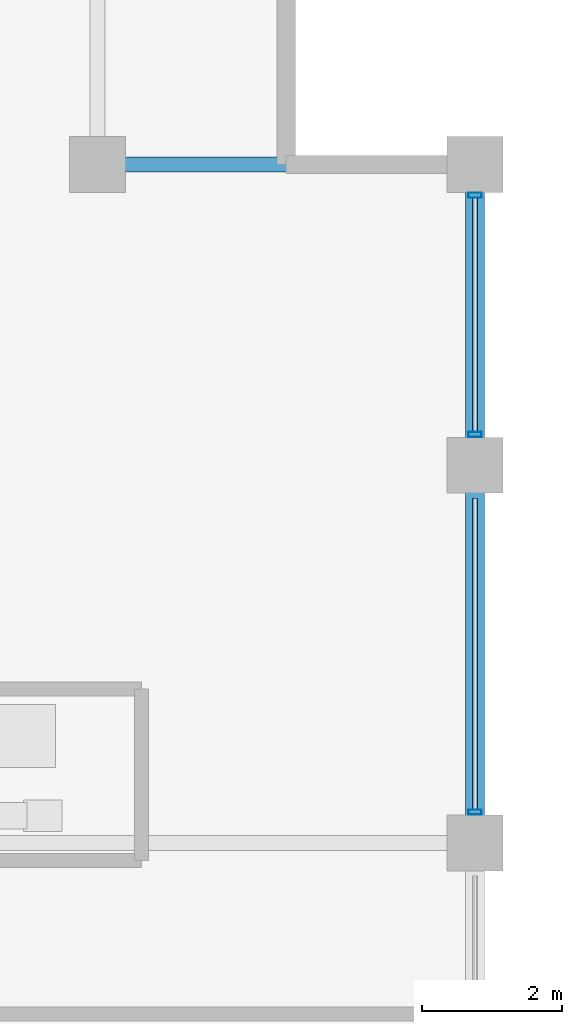
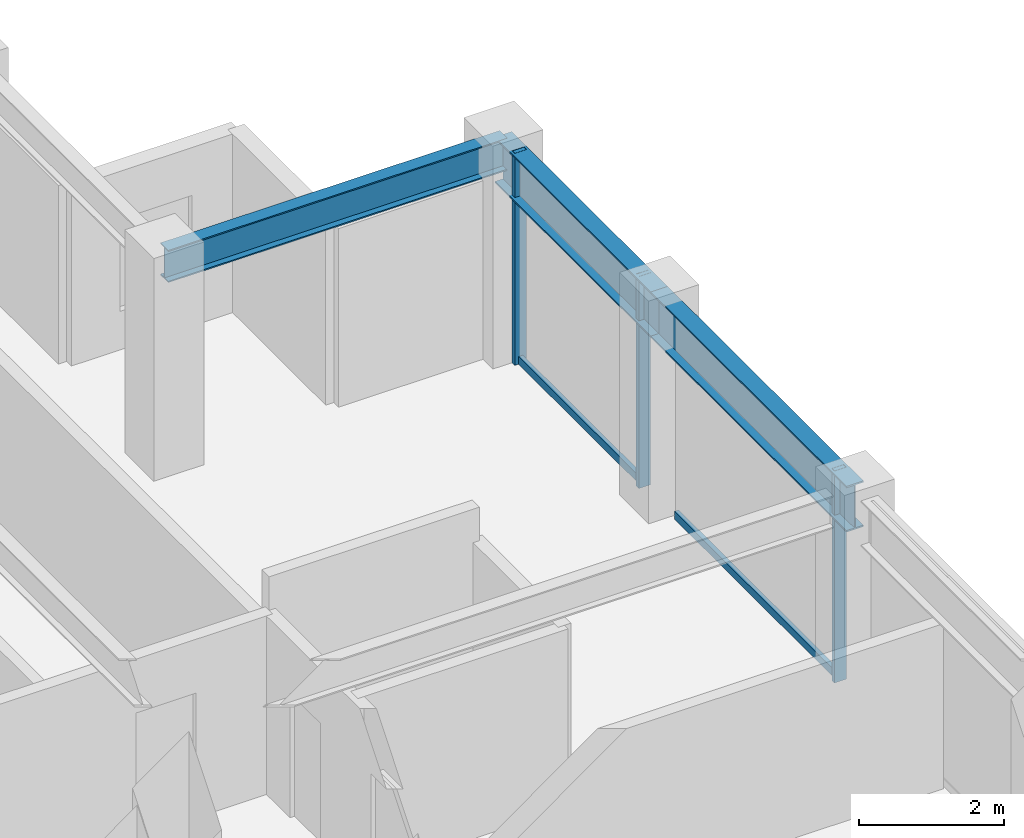
# One storey, part 20 of 28: 5 members, 3 beams, 1 element without a shape of its own.
"""IFC4 building model written with IfcOpenShell, lengths in metres."""

import ifcopenshell
import ifcopenshell.guid

model = None  # the IFC model being written
_history = None  # IfcOwnerHistory: only IFC2X3 demands one
_inside = {}  # id of a spatial element -> (the spatial element, [elements in it])
_under = {}  # id of a project, library or spatial element -> (it, [spatial elements below it])
_declared = {}  # id of a project -> (the project, [libraries it declares])
_typed = {}  # id of a type object -> (the type object, [elements of that type])
_made_of = {}  # id of a material, layer set ... -> (it, [elements and type objects made of it])


def new_model(schema):
    """Start an empty IFC model of exactly this schema.

    Asked for "IFC4X3", IfcOpenShell would pick the latest addendum, in which some entities
    have other attributes; the version numbers below select the first issue.
    IFC2X3 requires an IfcOwnerHistory on every rooted entity: one is made here for all.
    """
    global model, _history
    if schema == "IFC4X3":
        model = ifcopenshell.file(schema_version=(4, 3, 0, 0))
    else:
        model = ifcopenshell.file(schema=schema)
    _inside.clear()
    _under.clear()
    _declared.clear()
    _typed.clear()
    _made_of.clear()
    _history = None
    if model.schema == "IFC2X3":
        org = make("IfcOrganization", Name="unknown")
        user = make(
            "IfcPersonAndOrganization",
            ThePerson=make("IfcPerson", FamilyName="unknown"),
            TheOrganization=org,
        )
        app = make(
            "IfcApplication",
            ApplicationDeveloper=org,
            Version="unknown",
            ApplicationFullName="unknown",
            ApplicationIdentifier="unknown",
        )
        _history = make(
            "IfcOwnerHistory",
            OwningUser=user,
            OwningApplication=app,
            ChangeAction="ADDED",
            CreationDate=0,
        )
    return model


def make(cls, **values):
    """One entity of the class cls with the attributes given. An attribute that is None is left unset."""
    return model.create_entity(
        cls, **{name: value for name, value in values.items() if value is not None}
    )


def rooted(cls, **values):
    """An entity with a GlobalId (a new one), such as an element, a storey or a relation."""
    return make(cls, GlobalId=ifcopenshell.guid.new(), OwnerHistory=_history, **values)


def si_unit(unit_type, name, prefix=None):
    """IfcSIUnit, for example si_unit("LENGTHUNIT", "METRE", prefix="MILLI")."""
    return make("IfcSIUnit", UnitType=unit_type, Prefix=prefix, Name=name)


def assignment(units):
    """IfcUnitAssignment: the units of a project."""
    return None if units is None else make("IfcUnitAssignment", Units=units)


def point(xyz):
    """IfcCartesianPoint."""
    return None if xyz is None else make("IfcCartesianPoint", Coordinates=xyz)


def direction(xyz):
    """IfcDirection."""
    return None if xyz is None else make("IfcDirection", DirectionRatios=xyz)


def frame(location, z_axis=None, x_axis=None):
    """IfcAxis2Placement3D, a coordinate frame: its origin and axes. An axis left out is left unset."""
    return make(
        "IfcAxis2Placement3D",
        Location=point(location),
        Axis=direction(z_axis),
        RefDirection=direction(x_axis),
    )


def frame_2d(location, x_axis=None):
    """IfcAxis2Placement2D, a coordinate frame in the plane: its origin and x axis."""
    return make(
        "IfcAxis2Placement2D", Location=point(location), RefDirection=direction(x_axis)
    )


def origin():
    """The frame at (0, 0, 0) with its axes left unset."""
    return frame((0.0, 0.0, 0.0))


def origin_2d():
    """The frame at (0, 0) in the plane with its x axis left unset."""
    return frame_2d((0.0, 0.0))


def place(relative_to, where):
    """IfcLocalPlacement: puts the frame where relative to a parent placement (None: the world)."""
    return make(
        "IfcLocalPlacement", PlacementRelTo=relative_to, RelativePlacement=where
    )


def context(
    kind, dimensions, precision=None, world=None, true_north=None, identifier=None
):
    """IfcGeometricRepresentationContext, for example the 3D "Model" context."""
    return make(
        "IfcGeometricRepresentationContext",
        ContextIdentifier=identifier,
        ContextType=kind,
        CoordinateSpaceDimension=dimensions,
        Precision=precision,
        WorldCoordinateSystem=world,
        TrueNorth=true_north,
    )


def subcontext(parent, identifier, kind, view, scale=None):
    """IfcGeometricRepresentationSubContext, for example "Body" below "Model"."""
    return make(
        "IfcGeometricRepresentationSubContext",
        ContextIdentifier=identifier,
        ContextType=kind,
        ParentContext=parent,
        TargetScale=scale,
        TargetView=view,
    )


def project(units=None, contexts=None):
    """IfcProject with its units and contexts."""
    return rooted(
        "IfcProject",
        Name="project",
        RepresentationContexts=contexts,
        UnitsInContext=assignment(units),
    )


def spatial(cls, under=None, at=None, **own):
    """A site, building, storey or space (cls), placed at a placement, below another one or the project."""
    s = rooted(cls, ObjectPlacement=at, **own)
    if under is not None:
        _under.setdefault(under.id(), (under, []))[1].append(s)
    return s


def profile(cls, at=None, kind="AREA", **sizes):
    """A parametric profile (cls). Its sizes go by their IFC names, for example OverallWidth=200.0."""
    return make(cls, ProfileType=kind, Position=at, **sizes)


def hollow_rectangle(**sizes):
    """IfcRectangleHollowProfileDef."""
    return profile("IfcRectangleHollowProfileDef", **sizes)


def i_section(**sizes):
    """IfcIShapeProfileDef."""
    return profile("IfcIShapeProfileDef", **sizes)


def extrude(swept, where, along, depth):
    """IfcExtrudedAreaSolid: the profile swept, set in the frame where, extruded along a direction by depth."""
    return make(
        "IfcExtrudedAreaSolid",
        SweptArea=swept,
        Position=where,
        ExtrudedDirection=direction(along),
        Depth=depth,
    )


def shape(context_of_items, identifier, shape_type, items):
    """IfcShapeRepresentation: the items that make up one representation, for example the "Body"."""
    return make(
        "IfcShapeRepresentation",
        ContextOfItems=context_of_items,
        RepresentationIdentifier=identifier,
        RepresentationType=shape_type,
        Items=items,
    )


def material(Name=None, Category=None):
    """IfcMaterial."""
    return make("IfcMaterial", Name=Name, Category=Category)


def layer(
    of_material, thickness, ventilated=None, Name=None, Category=None, Priority=None
):
    """IfcMaterialLayer: one layer of a wall or slab, of a material (None: an air gap)."""
    return make(
        "IfcMaterialLayer",
        Material=of_material,
        LayerThickness=thickness,
        IsVentilated=ventilated,
        Name=Name,
        Category=Category,
        Priority=Priority,
    )


def layer_set(layers, Name=None):
    """IfcMaterialLayerSet."""
    return make("IfcMaterialLayerSet", MaterialLayers=layers, LayerSetName=Name)


def material_profile(
    of_material, cross_section, Name=None, Category=None, Priority=None
):
    """IfcMaterialProfile: a cross section and its material."""
    return make(
        "IfcMaterialProfile",
        Name=Name,
        Material=of_material,
        Profile=cross_section,
        Priority=Priority,
        Category=Category,
    )


def profile_set(profiles, Name=None, composite=None):
    """IfcMaterialProfileSet."""
    return make(
        "IfcMaterialProfileSet",
        Name=Name,
        MaterialProfiles=profiles,
        CompositeProfile=composite,
    )


def made_of(thing, what):
    """Note that an element or type object is made of a material, layer set ...; save() writes the relation."""
    if what is not None:
        _made_of.setdefault(what.id(), (what, []))[1].append(thing)
    return thing


def type_object(cls, material=None, **own):
    """A type object (cls), such as IfcWallType, which elements share."""
    return made_of(rooted(cls, **own), material)


def element(
    cls,
    number,
    at=None,
    inside=None,
    cuts=None,
    type_object=None,
    material=None,
    context=None,
    identifier="Body",
    shape_type=None,
    held_by="IfcProductDefinitionShape",
    body=None,
    shapes=None,
    **own,
):
    """One element of the class cls, such as IfcWall. Its Tag is "e" and its number.

    at: its placement. inside: the storey or other place that contains it. cuts: it is an
    opening in that element (IfcRelVoidsElement). A single representation is given by context,
    identifier, shape_type and body (its items); several are given by shapes. held_by: the class
    of the entity that holds the representations. save() writes the other relations.
    """
    e = rooted(cls, Tag="e%d" % number, ObjectPlacement=at, **own)
    if body is not None:
        shapes = [shape(context, identifier, shape_type, body)]
    if shapes is not None:
        e.Representation = make(held_by, Representations=shapes)
    if inside is not None:
        _inside.setdefault(inside.id(), (inside, []))[1].append(e)
    if cuts is not None:
        rooted(
            "IfcRelVoidsElement", RelatingBuildingElement=cuts, RelatedOpeningElement=e
        )
    if type_object is not None:
        _typed.setdefault(type_object.id(), (type_object, []))[1].append(e)
    return made_of(e, material)


def aggregate(whole, parts):
    """IfcRelAggregates: a whole, such as a stair, and the parts it consists of."""
    return rooted("IfcRelAggregates", RelatingObject=whole, RelatedObjects=parts)


def save(model, path):
    """Write the relations noted so far, then the file.

    IfcRelAggregates (storeys below a building ...), IfcRelContainedInSpatialStructure (elements
    in a storey), IfcRelDefinesByType, IfcRelAssociatesMaterial and IfcRelDeclares: one each for
    every whole, place, type object, material and project.
    """
    for whole, parts in _under.values():
        aggregate(whole, parts)
    for where, things in _inside.values():
        rooted(
            "IfcRelContainedInSpatialStructure",
            RelatedElements=things,
            RelatingStructure=where,
        )
    for kind, things in _typed.values():
        rooted("IfcRelDefinesByType", RelatedObjects=things, RelatingType=kind)
    for what, things in _made_of.values():
        rooted("IfcRelAssociatesMaterial", RelatedObjects=things, RelatingMaterial=what)
    for by, libraries in _declared.values():
        rooted("IfcRelDeclares", RelatingContext=by, RelatedDefinitions=libraries)
    model.write(path)


model = new_model("IFC4")

# Units and contexts
model_context = context("Model", 3, precision=1e-05, world=origin(), true_north=direction((0.0, 1.0)))
body_context = subcontext(model_context, "Body", "Model", "MODEL_VIEW")
ifc_project = project(units=[si_unit("LENGTHUNIT", "METRE"), si_unit("AREAUNIT", "SQUARE_METRE"), si_unit("VOLUMEUNIT", "CUBIC_METRE"), si_unit("PLANEANGLEUNIT", "RADIAN"), si_unit("MASSUNIT", "GRAM", prefix="KILO")], contexts=[model_context])

# Site, building, storey
site_placement = place(None, origin())
site = spatial("IfcSite", under=ifc_project, at=site_placement, CompositionType="ELEMENT")
building_placement = place(site_placement, origin())
building = spatial("IfcBuilding", under=site, at=building_placement, Name="Surkhivell Harbour Commons", CompositionType="ELEMENT")
storey_placement = place(building_placement, frame((0.0, 0.0, 242.25)))
storey = spatial("IfcBuildingStorey", under=building, at=storey_placement, Name="L63", CompositionType="ELEMENT", Elevation=242.25)

# Beams
ifc_material_1 = material(Name="Steel S355", Category="steel")
ifc_material_profile_1 = material_profile(ifc_material_1, i_section(OverallWidth=0.2119140625, OverallDepth=0.5439453125, WebThickness=0.0126953125, FlangeThickness=0.021240234375, at=origin_2d()), Name="UB533x210x122")
ifc_profile_set_1 = profile_set([ifc_material_profile_1], Name="Steel S355")
beam_type_1 = type_object("IfcBeamType", Name="BM-GRD-533A", PredefinedType="BEAM", material=ifc_profile_set_1)
beam_1_placement = place(storey_placement, frame((16.199951171875, 20.5, 3.298095703125), z_axis=(1.0, 0.0, 0.0), x_axis=(0.0, 1.0, 0.0)))
element("IfcBeam", 1, at=beam_1_placement, inside=storey, type_object=beam_type_1, Name="L63 Floor Girder (16.2,20.5)", PredefinedType="BEAM", context=body_context, shape_type="SweptSolid", body=[
    extrude(i_section(OverallWidth=0.2119140625, OverallDepth=0.5439453125, WebThickness=0.0126953125, FlangeThickness=0.021240234375, at=origin_2d()), origin(), (0.0, 0.0, 1.0), 5.400146484375),
])
ifc_material_profile_2 = material_profile(ifc_material_1, i_section(OverallWidth=0.26806640625, OverallDepth=0.77001953125, WebThickness=0.015625, FlangeThickness=0.025390625, at=origin_2d()), Name="UB762x267x197")
ifc_profile_set_2 = profile_set([ifc_material_profile_2], Name="Steel S355")
beam_type_2 = type_object("IfcBeamType", Name="BM-SPN-762", PredefinedType="SPANDREL", material=ifc_profile_set_2)
beam_2_placement = place(storey_placement, frame((21.60009765625, 10.800048828125, 3.18505859375), z_axis=(0.0, 1.0, 0.0), x_axis=(-1.0, 0.0, 0.0)))
element("IfcBeam", 2, at=beam_2_placement, inside=storey, type_object=beam_type_2, Name="L63 Tube Spandrel (21.6,10.8)", PredefinedType="SPANDREL", context=body_context, shape_type="SweptSolid", body=[
    extrude(i_section(OverallWidth=0.26806640625, OverallDepth=0.77001953125, WebThickness=0.015625, FlangeThickness=0.025390625, at=origin_2d()), origin(), (0.0, 0.0, 1.0), 5.39990234375),
])
beam_3_placement = place(storey_placement, frame((21.60009765625, 16.199951171875, 3.18505859375), z_axis=(0.0, 1.0, 0.0), x_axis=(-1.0, 0.0, 0.0)))
element("IfcBeam", 3, at=beam_3_placement, inside=storey, type_object=beam_type_2, Name="L63 Tube Spandrel (21.6,16.2)", PredefinedType="SPANDREL", context=body_context, shape_type="SweptSolid", body=[
    extrude(i_section(OverallWidth=0.26806640625, OverallDepth=0.77001953125, WebThickness=0.015625, FlangeThickness=0.025390625, at=origin_2d()), origin(), (0.0, 0.0, 1.0), 4.300048828125),
])

# Curtain wall, members
ifc_material_2 = material(Name="Anodised pale-metal aluminium and insulated glazing", Category="aluminium")
ifc_layer = layer(ifc_material_2, 0.18994140625)
ifc_layer_set = layer_set([ifc_layer], Name="Anodised pale-metal aluminium and insulated glazing")
curtain_wall_type = type_object("IfcCurtainWallType", Name="CW-SYS-Z3", PredefinedType="NOTDEFINED", material=ifc_layer_set)
curtain_wall_placement = place(storey_placement, origin())
curtain_wall = element("IfcCurtainWall", 4, at=curtain_wall_placement, inside=storey, type_object=curtain_wall_type, Name="L63 Curtain Wall CW-L63-E02R2", PredefinedType="NOTDEFINED")
ifc_material_3 = material(Name="Anodised pale-metal aluminium alloy 6063-T6", Category="aluminium")
ifc_material_profile_3 = material_profile(ifc_material_3, hollow_rectangle(XDim=0.074951171875, YDim=0.18994140625, WallThickness=0.00390625, at=origin_2d()), Name="ALU-MULL-75x190")
ifc_profile_set_3 = profile_set([ifc_material_profile_3], Name="Anodised pale-metal aluminium alloy 6063-T6")
member_type_1 = type_object("IfcMemberType", Name="CWM-190", PredefinedType="MULLION", material=ifc_profile_set_3)
member_1_placement = place(storey_placement, frame((21.60009765625, 11.239501953125, 0.0), z_axis=(0.0, 0.0, 1.0), x_axis=(0.0, 1.0, 0.0)))
member_1 = element("IfcMember", 5, at=member_1_placement, type_object=member_type_1, Name="CW-Z3 mullion 2", PredefinedType="MULLION", context=body_context, shape_type="SweptSolid", body=[
    extrude(hollow_rectangle(XDim=0.074951171875, YDim=0.18994140625, WallThickness=0.00390625, at=origin_2d()), origin(), (0.0, 0.0, 1.0), 3.570068359375),
])
member_2_placement = place(storey_placement, frame((21.60009765625, 16.639404296875, 0.0), z_axis=(0.0, 0.0, 1.0), x_axis=(0.0, 1.0, 0.0)))
member_2 = element("IfcMember", 6, at=member_2_placement, type_object=member_type_1, Name="CW-Z3 mullion 3", PredefinedType="MULLION", context=body_context, shape_type="SweptSolid", body=[
    extrude(hollow_rectangle(XDim=0.074951171875, YDim=0.18994140625, WallThickness=0.00390625, at=origin_2d()), origin(), (0.0, 0.0, 1.0), 3.570068359375),
])
member_3_placement = place(storey_placement, frame((21.60009765625, 20.060546875, 0.0), z_axis=(0.0, 0.0, 1.0), x_axis=(0.0, 1.0, 0.0)))
member_3 = element("IfcMember", 7, at=member_3_placement, type_object=member_type_1, Name="CW-Z3 mullion 4", PredefinedType="MULLION", context=body_context, shape_type="SweptSolid", body=[
    extrude(hollow_rectangle(XDim=0.074951171875, YDim=0.18994140625, WallThickness=0.00390625, at=origin_2d()), origin(), (0.0, 0.0, 1.0), 3.570068359375),
])
ifc_material_4 = material(Name="Champagne anodised aluminium alloy 6063-T6", Category="aluminium")
ifc_material_profile_4 = material_profile(ifc_material_4, hollow_rectangle(XDim=0.070068359375, YDim=0.1298828125, WallThickness=0.00341796875, at=origin_2d()), Name="ALU-TRAN-70x130")
ifc_profile_set_4 = profile_set([ifc_material_profile_4], Name="Champagne anodised aluminium alloy 6063-T6")
member_type_2 = type_object("IfcMemberType", Name="CWT-130", PredefinedType="USERDEFINED", material=ifc_profile_set_4)
member_4_placement = place(storey_placement, frame((21.60009765625, 11.277099609375, 0.06494140625), z_axis=(0.0, 1.0, 0.0), x_axis=(-1.0, 0.0, 0.0)))
member_4 = element("IfcMember", 8, at=member_4_placement, type_object=member_type_2, Name="CW-Z3 transom 2.1", ObjectType="TRANSOM", PredefinedType="USERDEFINED", context=body_context, shape_type="SweptSolid", body=[
    extrude(hollow_rectangle(XDim=0.070068359375, YDim=0.1298828125, WallThickness=0.00341796875, at=origin_2d()), origin(), (0.0, 0.0, 1.0), 4.44580078125),
])
member_5_placement = place(storey_placement, frame((21.60009765625, 16.677001953125, 0.06494140625), z_axis=(0.0, 1.0, 0.0), x_axis=(-1.0, 0.0, 0.0)))
member_5 = element("IfcMember", 9, at=member_5_placement, type_object=member_type_2, Name="CW-Z3 transom 3.1", ObjectType="TRANSOM", PredefinedType="USERDEFINED", context=body_context, shape_type="SweptSolid", body=[
    extrude(hollow_rectangle(XDim=0.070068359375, YDim=0.1298828125, WallThickness=0.00341796875, at=origin_2d()), origin(), (0.0, 0.0, 1.0), 3.345947265625),
])
aggregate(curtain_wall, [member_1, member_4, member_2, member_3, member_5])

save(model, "model.ifc")
